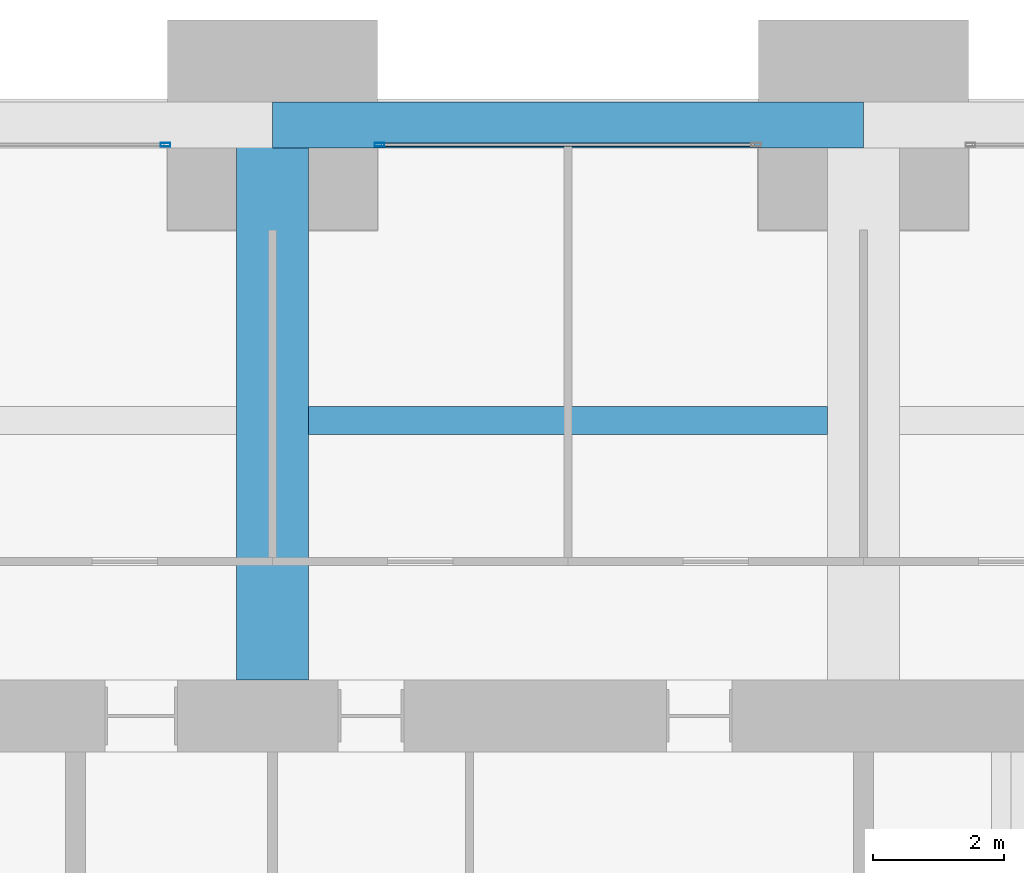
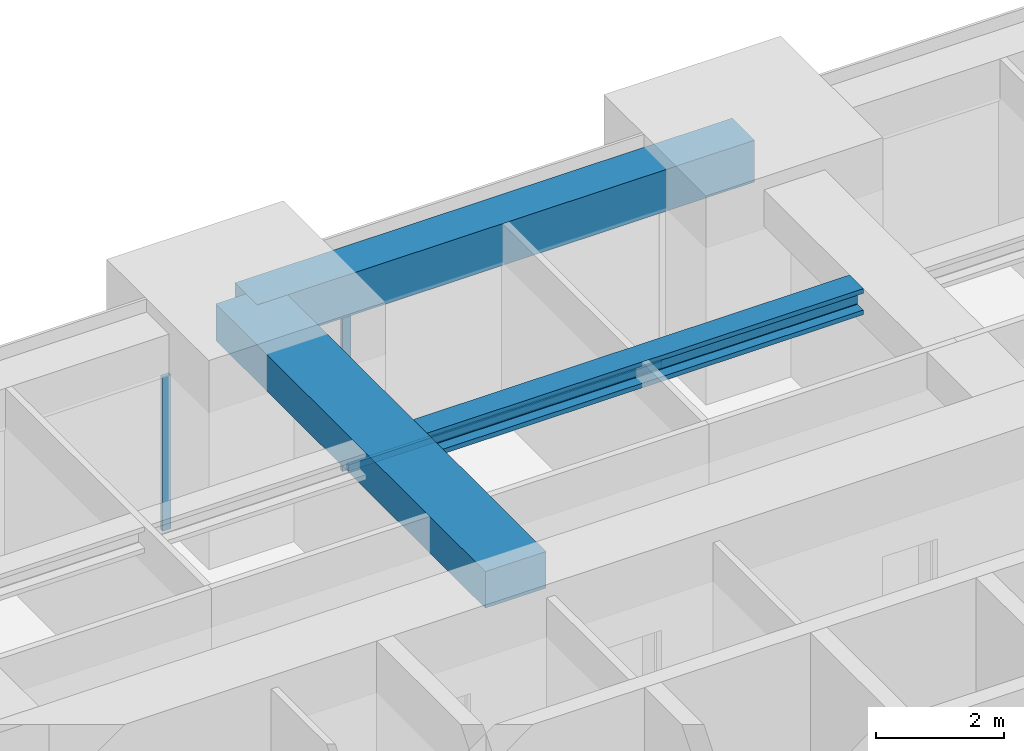
# One storey, part 29 of 41: 3 beams, 3 members, 2 elements without a shape of their own.
"""IFC4 building model written with IfcOpenShell, lengths in metres."""

from ifc_helpers import new_model, si_unit, direction, frame, origin, origin_2d, place, context, subcontext, project, spatial, rectangle, hollow_rectangle, i_section, extrude, material, material_profile, profile_set, type_object, element, aggregate, save


model = new_model("IFC4")

# Units and contexts
model_context = context("Model", 3, precision=1e-05, world=origin(), true_north=direction((0.0, 1.0)))
body_context = subcontext(model_context, "Body", "Model", "MODEL_VIEW")
ifc_project = project(units=[si_unit("LENGTHUNIT", "METRE"), si_unit("AREAUNIT", "SQUARE_METRE"), si_unit("VOLUMEUNIT", "CUBIC_METRE"), si_unit("PLANEANGLEUNIT", "RADIAN"), si_unit("MASSUNIT", "GRAM", prefix="KILO")], contexts=[model_context])

# Site, building, storey
site_placement = place(None, origin())
site = spatial("IfcSite", under=ifc_project, at=site_placement, CompositionType="ELEMENT")
building_placement = place(site_placement, origin())
building = spatial("IfcBuilding", under=site, at=building_placement, Name="Zorevar Civic Tower", CompositionType="ELEMENT")
storey_placement = place(building_placement, frame((0.0, 0.0, 89.0)))
storey = spatial("IfcBuildingStorey", under=building, at=storey_placement, Name="L21", CompositionType="ELEMENT", Elevation=89.0)

# Beam
ifc_material_1 = material(Name="Concrete C50/60", Category="concrete")
ifc_material_profile_1 = material_profile(ifc_material_1, rectangle(XDim=1.10009765625, YDim=0.699951171875, at=origin_2d()), Name="RC 1100x700")
ifc_profile_set_1 = profile_set([ifc_material_profile_1], Name="Concrete C50/60")
beam_type_1 = type_object("IfcBeamType", Name="Beam RC 1100x700", PredefinedType="BEAM", material=ifc_profile_set_1)
beam_1_placement = place(storey_placement, frame((27.0, 36.550048828125, 3.39990234375), z_axis=(0.0, 1.0, 0.0), x_axis=(-1.0, 0.0, 0.0)))
element("IfcBeam", 1, at=beam_1_placement, inside=storey, type_object=beam_type_1, Name="Girder L22", PredefinedType="BEAM", context=body_context, shape_type="SweptSolid", body=[
    extrude(rectangle(XDim=1.10009765625, YDim=0.699951171875, at=origin_2d()), origin(), (0.0, 0.0, 1.0), 8.449951171875),
])

# Curtain wall, member
ifc_material_2 = material(Name="Dark grey solar-control glass in black aluminium frame", Category="aluminium")
curtain_wall_type = type_object("IfcCurtainWallType", Name="Curtain wall CW3 mid zone", PredefinedType="NOTDEFINED", material=ifc_material_2)
curtain_wall_1_placement = place(storey_placement, origin())
curtain_wall_1 = element("IfcCurtainWall", 2, at=curtain_wall_1_placement, inside=storey, type_object=curtain_wall_type, Name="CW3 L21", PredefinedType="NOTDEFINED")
ifc_material_3 = material(Name="Aluminium, black anodised", Category="aluminium")
ifc_material_profile_2 = material_profile(ifc_material_3, hollow_rectangle(XDim=0.06005859375, YDim=0.14990234375, WallThickness=0.00390625, at=origin_2d()), Name="AL 150x60x4")
ifc_profile_set_2 = profile_set([ifc_material_profile_2], Name="Aluminium, black anodised")
member_type_1 = type_object("IfcMemberType", Name="CW3 mullion AL 150x60x4", PredefinedType="MULLION", material=ifc_profile_set_2)
member_1_placement = place(storey_placement, frame((25.3701171875, 44.699951171875, 0.0), z_axis=(0.0, 0.0, 1.0), x_axis=(0.0, 1.0, 0.0)))
member_1 = element("IfcMember", 3, at=member_1_placement, type_object=member_type_1, Name="CW3 mullion 2", PredefinedType="MULLION", context=body_context, shape_type="SweptSolid", body=[
    extrude(hollow_rectangle(XDim=0.06005859375, YDim=0.14990234375, WallThickness=0.00390625, at=origin_2d()), origin(), (0.0, 0.0, 1.0), 2.949951171875),
])
aggregate(curtain_wall_1, [member_1])

# Curtain wall, members
curtain_wall_2_placement = place(storey_placement, origin())
curtain_wall_2 = element("IfcCurtainWall", 4, at=curtain_wall_2_placement, inside=storey, type_object=curtain_wall_type, Name="CW3 L21", PredefinedType="NOTDEFINED")
member_2_placement = place(storey_placement, frame((28.6298828125, 44.699951171875, 0.0), z_axis=(0.0, 0.0, 1.0), x_axis=(0.0, 1.0, 0.0)))
member_2 = element("IfcMember", 5, at=member_2_placement, type_object=member_type_1, Name="CW3 mullion 1", PredefinedType="MULLION", context=body_context, shape_type="SweptSolid", body=[
    extrude(hollow_rectangle(XDim=0.06005859375, YDim=0.14990234375, WallThickness=0.00390625, at=origin_2d()), origin(), (0.0, 0.0, 1.0), 2.949951171875),
])
ifc_material_4 = material(Name="Aluminium, black anodised", Category="aluminium")
ifc_material_profile_3 = material_profile(ifc_material_4, hollow_rectangle(XDim=0.06005859375, YDim=0.1201171875, WallThickness=0.0029296875, at=origin_2d()), Name="AL 120x60x3")
ifc_profile_set_3 = profile_set([ifc_material_profile_3], Name="Aluminium, black anodised")
member_type_2 = type_object("IfcMemberType", Name="CW3 transom AL 120x60x3", PredefinedType="USERDEFINED", material=ifc_profile_set_3)
member_3_placement = place(storey_placement, frame((28.659912109375, 44.699951171875, 0.030029296875), z_axis=(1.0, 0.0, 0.0), x_axis=(0.0, 1.0, 0.0)))
member_3 = element("IfcMember", 6, at=member_3_placement, type_object=member_type_2, Name="CW3 sill transom", ObjectType="TRANSOM", PredefinedType="USERDEFINED", context=body_context, shape_type="SweptSolid", body=[
    extrude(hollow_rectangle(XDim=0.06005859375, YDim=0.1201171875, WallThickness=0.0029296875, at=origin_2d()), origin(), (0.0, 0.0, 1.0), 5.68017578125),
])
aggregate(curtain_wall_2, [member_2, member_3])

# Beams
ifc_material_5 = material(Name="Steel S460M (HISTAR 460)", Category="steel")
ifc_material_profile_4 = material_profile(ifc_material_5, i_section(OverallWidth=0.431884765625, OverallDepth=0.498046875, WebThickness=0.0556640625, FlangeThickness=0.0888671875, FilletRadius=0.014892578125, at=origin_2d()), Name="HD 400x744")
ifc_profile_set_4 = profile_set([ifc_material_profile_4], Name="Steel S460M (HISTAR 460)")
beam_type_2 = type_object("IfcBeamType", Name="Core bay beam HD 400x744", PredefinedType="BEAM", material=ifc_profile_set_4)
beam_2_placement = place(storey_placement, frame((27.550048828125, 40.5, 3.5009765625), z_axis=(1.0, 0.0, 0.0), x_axis=(0.0, 1.0, 0.0)))
element("IfcBeam", 7, at=beam_2_placement, inside=storey, type_object=beam_type_2, Name="Secondary beam L22", PredefinedType="BEAM", context=body_context, shape_type="SweptSolid", body=[
    extrude(i_section(OverallWidth=0.431884765625, OverallDepth=0.498046875, WebThickness=0.0556640625, FlangeThickness=0.0888671875, FilletRadius=0.014892578125, at=origin_2d()), origin(), (0.0, 0.0, 1.0), 7.89990234375),
])
ifc_material_6 = material(Name="Concrete C50/60", Category="concrete")
ifc_material_profile_5 = material_profile(ifc_material_6, rectangle(XDim=0.699951171875, YDim=0.800048828125, at=origin_2d()), Name="RC 700x800")
ifc_profile_set_5 = profile_set([ifc_material_profile_5], Name="Concrete C50/60")
beam_type_3 = type_object("IfcBeamType", Name="Edge beam RC 700x800", PredefinedType="SPANDREL", material=ifc_profile_set_5)
beam_3_placement = place(storey_placement, frame((27.0, 45.0, 3.35009765625), z_axis=(1.0, 0.0, 0.0), x_axis=(0.0, 1.0, 0.0)))
element("IfcBeam", 8, at=beam_3_placement, inside=storey, type_object=beam_type_3, Name="Edge beam L22", PredefinedType="SPANDREL", context=body_context, shape_type="SweptSolid", body=[
    extrude(rectangle(XDim=0.699951171875, YDim=0.800048828125, at=origin_2d()), origin(), (0.0, 0.0, 1.0), 9.0),
])

save(model, "model.ifc")
